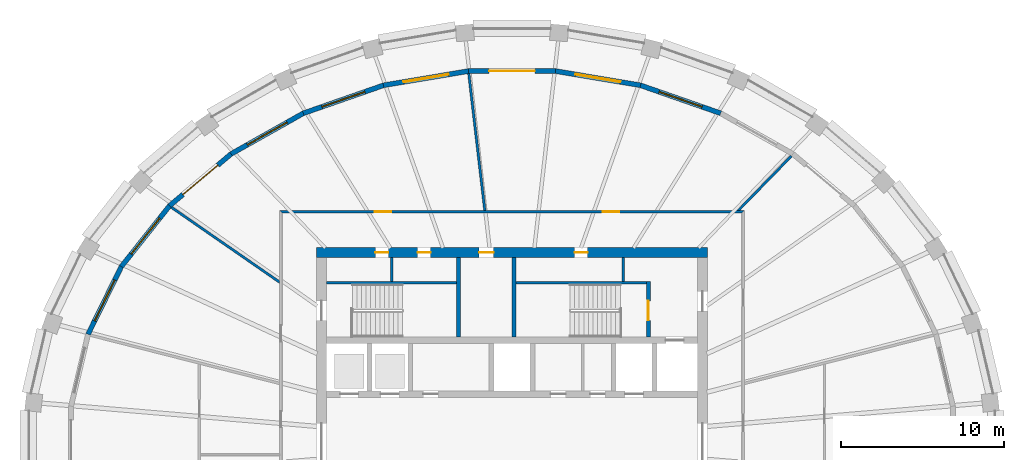
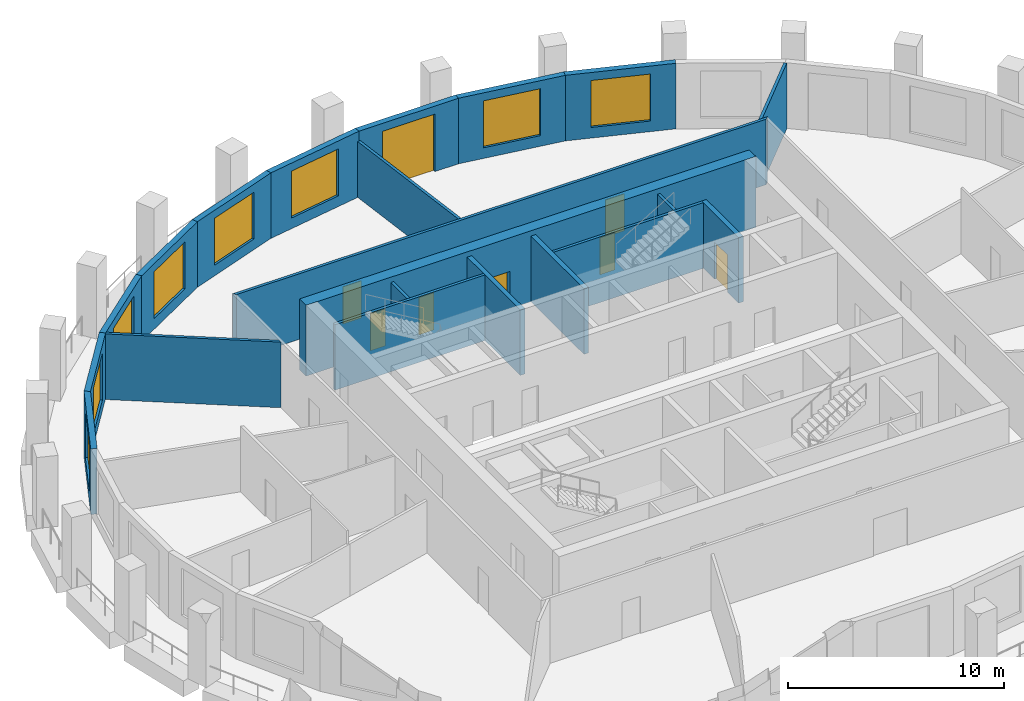
# One storey, part 6 of 10: 21 walls, 9 doors, 7 windows, 16 openings.
"""IFC4 building model written with IfcOpenShell, lengths in metres."""

from ifc_helpers import new_model, si_unit, direction, frame, frame_2d, origin, place, context, subcontext, project, spatial, polyline, rectangle, outline, extrude, material, layer, layer_set, type_object, element, fill, save


model = new_model("IFC4")

# Units and contexts
model_context = context("Model", 3, precision=1e-05, world=origin(), true_north=direction((0.0, 1.0)))
body_context = subcontext(model_context, "Body", "Model", "MODEL_VIEW")
ifc_project = project(units=[si_unit("LENGTHUNIT", "METRE"), si_unit("AREAUNIT", "SQUARE_METRE"), si_unit("VOLUMEUNIT", "CUBIC_METRE"), si_unit("PLANEANGLEUNIT", "RADIAN"), si_unit("MASSUNIT", "GRAM", prefix="KILO")], contexts=[model_context])

# Site, building, storey
site_placement = place(None, origin())
site = spatial("IfcSite", under=ifc_project, at=site_placement, CompositionType="ELEMENT")
building_placement = place(site_placement, origin())
building = spatial("IfcBuilding", under=site, at=building_placement, Name="Halqa Exchange Tower", CompositionType="ELEMENT")
storey_placement = place(building_placement, frame((0.0, 0.0, 276.300048828125)))
storey = spatial("IfcBuildingStorey", under=building, at=storey_placement, Name="L64", CompositionType="ELEMENT", Elevation=276.300048828125)

# Wall
ifc_material_1 = material(Name="Fire-rated gypsum board")
ifc_layer_1 = layer(ifc_material_1, 0.14990234375)
ifc_layer_set_1 = layer_set([ifc_layer_1], Name="Fire-rated gypsum board")
wall_type_1 = type_object("IfcWallType", Name="Fire partition EI 60 150", PredefinedType="PARTITIONING", material=ifc_layer_set_1)
wall_1_placement = place(storey_placement, frame((-14.232421875, 9.842529296875, 0.0), z_axis=(0.0, 0.0, 1.0), x_axis=(-0.822495571588, 0.56877151363, 0.0)))
element("IfcWall", 1, at=wall_1_placement, inside=storey, type_object=wall_type_1, Name="L64-PWL-010", PredefinedType="PARTITIONING", context=body_context, shape_type="SweptSolid", body=[
    extrude(outline(polyline([(0.103515625, -0.074951171875), (1.705322265625, -0.074951171875), (3.306884765625, -0.074951171875), (4.908447265625, -0.074951171875), (6.510009765625, -0.074951171875), (8.111572265625, -0.074951171875), (8.133056640625, 0.004150390625), (8.137451171875, 0.069580078125), (8.137451171875, 0.074951171875), (6.510009765625, 0.074951171875), (4.882568359375, 0.074951171875), (3.2548828125, 0.074951171875), (1.62744140625, 0.074951171875), (0.0, 0.074951171875), (0.0, 0.074951171875), (0.103515625, -0.074951171875)])), origin(), (0.0, 0.0, 1.0), 3.699951171875),
])

# Wall, openings, doors
wall_2_placement = place(storey_placement, frame((-14.27490234375, 14.199951171875, 0.0), z_axis=(0.0, 0.0, 1.0), x_axis=(1.0, 0.0, 0.0)))
wall_2 = element("IfcWall", 2, at=wall_2_placement, inside=storey, type_object=wall_type_1, Name="L64-PWL-011", PredefinedType="PARTITIONING", context=body_context, shape_type="SweptSolid", body=[
    extrude(outline(polyline([(0.14990234375, -0.074951171875), (2.033203125, -0.074951171875), (3.91650390625, -0.074951171875), (5.7998046875, -0.074951171875), (7.683349609375, -0.074951171875), (9.566650390625, -0.074951171875), (11.449951171875, -0.074951171875), (13.333251953125, -0.074951171875), (15.216552734375, -0.074951171875), (17.099853515625, -0.074951171875), (18.983154296875, -0.074951171875), (20.866455078125, -0.074951171875), (22.75, -0.074951171875), (24.63330078125, -0.074951171875), (26.5166015625, -0.074951171875), (28.39990234375, -0.074951171875), (28.5498046875, 0.074951171875), (28.5498046875, 0.074951171875), (26.646484375, 0.074951171875), (24.7431640625, 0.074951171875), (22.83984375, 0.074951171875), (20.9365234375, 0.074951171875), (19.033203125, 0.074951171875), (17.1298828125, 0.074951171875), (15.2265625, 0.074951171875), (13.3232421875, 0.074951171875), (11.419921875, 0.074951171875), (9.5166015625, 0.074951171875), (7.61328125, 0.074951171875), (5.7099609375, 0.074951171875), (3.806640625, 0.074951171875), (1.9033203125, 0.074951171875), (0.0, 0.074951171875), (0.14990234375, -0.074951171875)])), origin(), (0.0, 0.0, 1.0), 3.699951171875),
])
opening_1_placement = place(wall_2_placement, frame((5.844970703125, 0.0, 0.0)))
opening_1 = element("IfcOpeningElement", 3, at=opening_1_placement, cuts=wall_2, Name="Opening 19-01", PredefinedType="OPENING", context=body_context, shape_type="SweptSolid", body=[
    extrude(rectangle(XDim=1.0, YDim=2.10009765625, at=frame_2d((0.5, 1.050048828125))), frame((0.0, 0.0869140625, 0.0), z_axis=(0.0, -1.0, 0.0), x_axis=(1.0, 0.0, 0.0)), (0.0, 0.0, 1.0), 0.173828125),
])
opening_2_placement = place(wall_2_placement, frame((19.860107421875, 0.0, 0.0)))
opening_2 = element("IfcOpeningElement", 4, at=opening_2_placement, cuts=wall_2, Name="Opening 19-12", PredefinedType="OPENING", context=body_context, shape_type="SweptSolid", body=[
    extrude(rectangle(XDim=1.0, YDim=2.10009765625, at=frame_2d((0.5, 1.050048828125))), frame((0.0, 0.0869140625, 0.0), z_axis=(0.0, -1.0, 0.0), x_axis=(1.0, 0.0, 0.0)), (0.0, 0.0, 1.0), 0.173828125),
])
ifc_material_2 = material(Name="Steel fire door leaf", Category="steel")
door_type_1 = type_object("IfcDoorType", Name="Fire door FD30S 1000 x 2100", OperationType="SINGLE_SWING_LEFT", PredefinedType="DOOR", material=ifc_material_2)
door_1_placement = place(opening_1_placement, origin())
door_1 = element("IfcDoor", 5, at=door_1_placement, inside=storey, type_object=door_type_1, Name="L64-IDR-001", OperationType="SINGLE_SWING_RIGHT", OverallHeight=2.10009765625, OverallWidth=1.0, PredefinedType="DOOR", context=body_context, shape_type="SweptSolid", body=[
    extrude(rectangle(XDim=1.0, YDim=2.10009765625, at=frame_2d((0.5, 1.050048828125))), frame((0.0, 0.02490234375, 0.0), z_axis=(0.0, -1.0, 0.0), x_axis=(1.0, 0.0, 0.0)), (0.0, 0.0, 1.0), 0.050048828125),
])
fill(opening_1, door_1)
door_2_placement = place(opening_2_placement, origin())
door_2 = element("IfcDoor", 6, at=door_2_placement, inside=storey, type_object=door_type_1, Name="L64-IDR-012", OperationType="SINGLE_SWING_LEFT", OverallHeight=2.10009765625, OverallWidth=1.0, PredefinedType="DOOR", context=body_context, shape_type="SweptSolid", body=[
    extrude(rectangle(XDim=1.0, YDim=2.10009765625, at=frame_2d((0.5, 1.050048828125))), frame((0.0, 0.02490234375, 0.0), z_axis=(0.0, -1.0, 0.0), x_axis=(1.0, 0.0, 0.0)), (0.0, 0.0, 1.0), 0.050048828125),
])
fill(opening_2, door_2)

# Walls
wall_3_placement = place(storey_placement, frame((-2.654541015625, 22.6875, 0.0), z_axis=(0.0, 0.0, 1.0), x_axis=(0.116390143686, -0.993203571506, 0.0)))
element("IfcWall", 7, at=wall_3_placement, inside=storey, type_object=wall_type_1, Name="L64-PWL-014", PredefinedType="PARTITIONING", context=body_context, shape_type="SweptSolid", body=[
    extrude(outline(polyline([(0.0, -0.074951171875), (1.692138671875, -0.074951171875), (3.384521484375, -0.074951171875), (5.07666015625, -0.074951171875), (6.76904296875, -0.074951171875), (8.461181640625, -0.074951171875), (8.478515625, 0.072021484375), (8.478515625, 0.074951171875), (6.78369140625, 0.074951171875), (5.0888671875, 0.074951171875), (3.39404296875, 0.074951171875), (1.699462890625, 0.074951171875), (0.004638671875, 0.074951171875), (0.0, 0.0361328125), (0.0, -0.074951171875)])), origin(), (0.0, 0.0, 1.0), 3.14990234375),
])
wall_4_placement = place(storey_placement, frame((13.852294921875, 14.222900390625, 0.0), z_axis=(0.0, 0.0, 1.0), x_axis=(0.69820654799, 0.715896372629, 0.0)))
element("IfcWall", 8, at=wall_4_placement, inside=storey, type_object=wall_type_1, Name="L64-PWL-016", PredefinedType="PARTITIONING", context=body_context, shape_type="SweptSolid", body=[
    extrude(outline(polyline([(4.73388671875, -0.074951171875), (4.73388671875, 0.07470703125), (4.73388671875, 0.074951171875), (3.156005859375, 0.074951171875), (1.577880859375, 0.074951171875), (0.0, 0.074951171875), (0.0, 0.07470703125), (0.14599609375, -0.074951171875), (1.67529296875, -0.074951171875), (3.20458984375, -0.074951171875), (4.73388671875, -0.074951171875)])), origin(), (0.0, 0.0, 1.0), 3.699951171875),
])
ifc_material_3 = material(Name="Gypsum board")
ifc_layer_2 = layer(ifc_material_3, 0.14990234375)
ifc_layer_set_2 = layer_set([ifc_layer_2], Name="Gypsum board")
wall_type_2 = type_object("IfcWallType", Name="Penthouse riser wall 150 gypsum", PredefinedType="PARTITIONING", material=ifc_layer_set_2)
for number, where, z_axis, x_axis, name in (
    (9, (-7.39990234375, 9.89990234375, 0.0), (0.0, 0.0, 1.0), (0.0, 1.0, 0.0), "Partition W7.400 N"),
    (10, (6.824951171875, 9.89990234375, 0.0), (0.0, 0.0, 1.0), (0.0, 1.0, 0.0), "Firefighting lobby west wall N"),
):
    element("IfcWall", number, at=place(storey_placement, frame(where, z_axis=z_axis, x_axis=x_axis)), inside=storey, type_object=wall_type_2, Name=name, PredefinedType="PARTITIONING", context=body_context, shape_type="SweptSolid", body=[
        extrude(rectangle(XDim=1.5, YDim=0.14990234375, at=frame_2d((0.75, 0.0))), origin(), (0.0, 0.0, 1.0), 3.699951171875),
    ])

# Wall, openings, doors
ifc_material_4 = material(Name="Concrete C60/75", Category="concrete")
ifc_layer_3 = layer(ifc_material_4, 0.60009765625)
ifc_layer_set_3 = layer_set([ifc_layer_3], Name="Concrete C60/75")
wall_type_3 = type_object("IfcWallType", Name="RC core wall 600 C60/75", PredefinedType="SHEAR", material=ifc_layer_set_3)
wall_5_placement = place(storey_placement, frame((-12.0, 11.699951171875, 0.0), z_axis=(0.0, 0.0, 1.0), x_axis=(1.0, 0.0, 0.0)))
wall_5 = element("IfcWall", 11, at=wall_5_placement, inside=storey, type_object=wall_type_3, Name="Core wall north", PredefinedType="SHEAR", context=body_context, shape_type="SweptSolid", body=[
    extrude(rectangle(XDim=24.0, YDim=0.60009765625, at=frame_2d((12.0, 0.0))), origin(), (0.0, 0.0, 1.0), 4.0),
])
opening_3_placement = place(wall_5_placement, frame((9.97509765625, 0.0, 0.0)))
opening_3 = element("IfcOpeningElement", 12, at=opening_3_placement, cuts=wall_5, Name="Opening T19-C17", PredefinedType="OPENING", context=body_context, shape_type="SweptSolid", body=[
    extrude(rectangle(XDim=0.89990234375, YDim=2.10009765625, at=frame_2d((0.449951171875, 1.050048828125))), frame((0.0, 0.31201171875, 0.0), z_axis=(0.0, -1.0, 0.0), x_axis=(1.0, 0.0, 0.0)), (0.0, 0.0, 1.0), 0.6240234375),
])
opening_4_placement = place(wall_5_placement, frame((3.60009765625, 0.0, 0.0)))
opening_4 = element("IfcOpeningElement", 13, at=opening_4_placement, cuts=wall_5, Name="Opening T19-C18", PredefinedType="OPENING", context=body_context, shape_type="SweptSolid", body=[
    extrude(rectangle(XDim=0.800048828125, YDim=2.10009765625, at=frame_2d((0.39990234375, 1.050048828125))), frame((0.0, 0.31201171875, 0.0), z_axis=(0.0, -1.0, 0.0), x_axis=(1.0, 0.0, 0.0)), (0.0, 0.0, 1.0), 0.6240234375),
])
opening_5_placement = place(wall_5_placement, frame((6.199951171875, 0.0, 0.0)))
opening_5 = element("IfcOpeningElement", 14, at=opening_5_placement, cuts=wall_5, Name="Opening T19-C19", PredefinedType="OPENING", context=body_context, shape_type="SweptSolid", body=[
    extrude(rectangle(XDim=0.800048828125, YDim=2.10009765625, at=frame_2d((0.39990234375, 1.050048828125))), frame((0.0, 0.31201171875, 0.0), z_axis=(0.0, -1.0, 0.0), x_axis=(1.0, 0.0, 0.0)), (0.0, 0.0, 1.0), 0.6240234375),
])
opening_6_placement = place(wall_5_placement, frame((15.85009765625, 0.0, 0.0)))
opening_6 = element("IfcOpeningElement", 15, at=opening_6_placement, cuts=wall_5, Name="Opening T19-C20", PredefinedType="OPENING", context=body_context, shape_type="SweptSolid", body=[
    extrude(rectangle(XDim=0.800048828125, YDim=2.10009765625, at=frame_2d((0.39990234375, 1.050048828125))), frame((0.0, 0.31201171875, 0.0), z_axis=(0.0, -1.0, 0.0), x_axis=(1.0, 0.0, 0.0)), (0.0, 0.0, 1.0), 0.6240234375),
])
ifc_material_5 = material(Name="Timber fire door leaf", Category="wood")
door_type_2 = type_object("IfcDoorType", Name="Core room door FD30 900 x 2100", OperationType="SINGLE_SWING_LEFT", PredefinedType="DOOR", material=ifc_material_5)
door_3_placement = place(opening_3_placement, frame((0.89990234375, 0.0, 0.0), z_axis=(0.0, 0.0, 1.0), x_axis=(-1.0, 0.0, 0.0)))
door_3 = element("IfcDoor", 16, at=door_3_placement, inside=storey, type_object=door_type_2, Name="Core room door", OperationType="SINGLE_SWING_LEFT", OverallHeight=2.10009765625, OverallWidth=0.89990234375, PredefinedType="DOOR", context=body_context, shape_type="SweptSolid", body=[
    extrude(rectangle(XDim=0.89990234375, YDim=2.10009765625, at=frame_2d((0.449951171875, 1.050048828125))), frame((0.0, 0.02490234375, 0.0), z_axis=(0.0, -1.0, 0.0), x_axis=(1.0, 0.0, 0.0)), (0.0, 0.0, 1.0), 0.050048828125),
])
fill(opening_3, door_3)
door_type_3 = type_object("IfcDoorType", Name="Riser door FD60 800 x 2100", OperationType="SINGLE_SWING_LEFT", PredefinedType="DOOR", material=ifc_material_2)
door_4_placement = place(opening_4_placement, frame((0.800048828125, 0.0, 0.0), z_axis=(0.0, 0.0, 1.0), x_axis=(-1.0, 0.0, 0.0)))
door_4 = element("IfcDoor", 17, at=door_4_placement, inside=storey, type_object=door_type_3, Name="Core room door", OperationType="SINGLE_SWING_RIGHT", OverallHeight=2.10009765625, OverallWidth=0.800048828125, PredefinedType="DOOR", context=body_context, shape_type="SweptSolid", body=[
    extrude(rectangle(XDim=0.800048828125, YDim=2.10009765625, at=frame_2d((0.39990234375, 1.050048828125))), frame((0.0, 0.02490234375, 0.0), z_axis=(0.0, -1.0, 0.0), x_axis=(1.0, 0.0, 0.0)), (0.0, 0.0, 1.0), 0.050048828125),
])
fill(opening_4, door_4)
door_5_placement = place(opening_5_placement, frame((0.800048828125, 0.0, 0.0), z_axis=(0.0, 0.0, 1.0), x_axis=(-1.0, 0.0, 0.0)))
door_5 = element("IfcDoor", 18, at=door_5_placement, inside=storey, type_object=door_type_3, Name="Core room door", OperationType="SINGLE_SWING_RIGHT", OverallHeight=2.10009765625, OverallWidth=0.800048828125, PredefinedType="DOOR", context=body_context, shape_type="SweptSolid", body=[
    extrude(rectangle(XDim=0.800048828125, YDim=2.10009765625, at=frame_2d((0.39990234375, 1.050048828125))), frame((0.0, 0.02490234375, 0.0), z_axis=(0.0, -1.0, 0.0), x_axis=(1.0, 0.0, 0.0)), (0.0, 0.0, 1.0), 0.050048828125),
])
fill(opening_5, door_5)
door_6_placement = place(opening_6_placement, frame((0.800048828125, 0.0, 0.0), z_axis=(0.0, 0.0, 1.0), x_axis=(-1.0, 0.0, 0.0)))
door_6 = element("IfcDoor", 19, at=door_6_placement, inside=storey, type_object=door_type_3, Name="Core room door", OperationType="SINGLE_SWING_RIGHT", OverallHeight=2.10009765625, OverallWidth=0.800048828125, PredefinedType="DOOR", context=body_context, shape_type="SweptSolid", body=[
    extrude(rectangle(XDim=0.800048828125, YDim=2.10009765625, at=frame_2d((0.39990234375, 1.050048828125))), frame((0.0, 0.02490234375, 0.0), z_axis=(0.0, -1.0, 0.0), x_axis=(1.0, 0.0, 0.0)), (0.0, 0.0, 1.0), 0.050048828125),
])
fill(opening_6, door_6)

# Walls
ifc_material_6 = material(Name="Concrete C30/37", Category="concrete")
ifc_layer_4 = layer(ifc_material_6, 0.14990234375)
ifc_layer_set_4 = layer_set([ifc_layer_4], Name="Concrete C30/37")
wall_type_4 = type_object("IfcWallType", Name="RC stair wall 150 C30/37", PredefinedType="SHEAR", material=ifc_layer_set_4)
for number, where, z_axis, x_axis, name in (
    (20, (-11.39990234375, 9.824951171875, 0.0), (0.0, 0.0, 1.0), (1.0, 0.0, 0.0), "Stair ST1 north wall N"),
    (21, (0.25, 9.824951171875, 0.0), (0.0, 0.0, 1.0), (1.0, 0.0, 0.0), "Stair ST2 north wall N"),
):
    element("IfcWall", number, at=place(storey_placement, frame(where, z_axis=z_axis, x_axis=x_axis)), inside=storey, type_object=wall_type_4, Name=name, PredefinedType="SHEAR", context=body_context, shape_type="SweptSolid", body=[
        extrude(rectangle(XDim=8.0, YDim=0.14990234375, at=frame_2d((4.0, 0.0))), origin(), (0.0, 0.0, 1.0), 3.699951171875),
    ])
ifc_layer_5 = layer(ifc_material_6, 0.25)
ifc_layer_set_5 = layer_set([ifc_layer_5], Name="Concrete C30/37")
wall_type_5 = type_object("IfcWallType", Name="RC stair wall 250 C30/37", PredefinedType="SHEAR", material=ifc_layer_set_5)
for number, where, z_axis, x_axis, name in (
    (22, (-3.27490234375, 6.5, 0.0), (0.0, 0.0, 1.0), (0.0, 1.0, 0.0), "Stair ST1 east wall N"),
    (23, (0.125, 6.5, 0.0), (0.0, 0.0, 1.0), (0.0, 1.0, 0.0), "Stair ST2 west wall N"),
):
    element("IfcWall", number, at=place(storey_placement, frame(where, z_axis=z_axis, x_axis=x_axis)), inside=storey, type_object=wall_type_5, Name=name, PredefinedType="SHEAR", context=body_context, shape_type="SweptSolid", body=[
        extrude(rectangle(XDim=4.89990234375, YDim=0.25, at=frame_2d((2.449951171875, 0.0))), origin(), (0.0, 0.0, 1.0), 3.699951171875),
    ])

# Wall, opening, door
wall_6_placement = place(storey_placement, frame((8.375, 6.5, 0.0), z_axis=(0.0, 0.0, 1.0), x_axis=(0.0, 1.0, 0.0)))
wall_6 = element("IfcWall", 24, at=wall_6_placement, inside=storey, type_object=wall_type_5, Name="Stair ST2 east wall N", PredefinedType="SHEAR", context=body_context, shape_type="SweptSolid", body=[
    extrude(rectangle(XDim=3.39990234375, YDim=0.25, at=frame_2d((1.699951171875, 0.0))), origin(), (0.0, 0.0, 1.0), 3.699951171875),
])
opening_7_placement = place(wall_6_placement, frame((1.02490234375, 0.0, 0.0)))
opening_7 = element("IfcOpeningElement", 25, at=opening_7_placement, cuts=wall_6, Name="Opening T19-C12", PredefinedType="OPENING", context=body_context, shape_type="SweptSolid", body=[
    extrude(rectangle(XDim=1.199951171875, YDim=2.10009765625, at=frame_2d((0.60009765625, 1.050048828125))), frame((0.0, 0.136962890625, 0.0), z_axis=(0.0, -1.0, 0.0), x_axis=(1.0, 0.0, 0.0)), (0.0, 0.0, 1.0), 0.27392578125),
])
door_type_4 = type_object("IfcDoorType", Name="Stair door FD90 1200 x 2100", OperationType="SINGLE_SWING_LEFT", PredefinedType="DOOR", material=ifc_material_2)
door_7_placement = place(opening_7_placement, origin())
door_7 = element("IfcDoor", 26, at=door_7_placement, inside=storey, type_object=door_type_4, Name="Stair door ST2", OperationType="SINGLE_SWING_LEFT", OverallHeight=2.10009765625, OverallWidth=1.199951171875, PredefinedType="DOOR", context=body_context, shape_type="SweptSolid", body=[
    extrude(rectangle(XDim=1.199951171875, YDim=2.10009765625, at=frame_2d((0.60009765625, 1.050048828125))), frame((0.0, 0.02490234375, 0.0), z_axis=(0.0, -1.0, 0.0), x_axis=(1.0, 0.0, 0.0)), (0.0, 0.0, 1.0), 0.050048828125),
])
fill(opening_7, door_7)

# Wall, opening, window
ifc_material_7 = material(Name="Limestone cladding", Category="masonry")
ifc_layer_6 = layer(ifc_material_7, 0.0400390625)
ifc_material_8 = material(Name="Ventilated cavity")
ifc_layer_7 = layer(ifc_material_8, 0.030029296875, ventilated=True)
ifc_material_9 = material(Name="Mineral wool insulation")
ifc_layer_8 = layer(ifc_material_9, 0.10009765625)
ifc_layer_9 = layer(ifc_material_6, 0.10009765625)
ifc_material_10 = material(Name="Internal plaster")
ifc_layer_10 = layer(ifc_material_10, 0.030029296875)
ifc_layer_set_6 = layer_set([ifc_layer_6, ifc_layer_7, ifc_layer_8, ifc_layer_9, ifc_layer_10], Name="Stone-faced insulated wall 300")
wall_type_6 = type_object("IfcWallType", Name="Stone-faced insulated wall 300", PredefinedType="STANDARD", material=ifc_layer_set_6)
wall_7_placement = place(storey_placement, frame((12.822021484375, 20.246337890625, 0.0), z_axis=(0.0, 0.0, 1.0), x_axis=(-0.9441693858, 0.329460423904, 0.0)))
wall_7 = element("IfcWall", 27, at=wall_7_placement, inside=storey, type_object=wall_type_6, Name="Glass-line wall 6", PredefinedType="STANDARD", context=body_context, shape_type="SweptSolid", body=[
    extrude(outline(polyline([(-0.013427734375, -0.14990234375), (5.23095703125, -0.14990234375), (5.20556640625, 0.14990234375), (0.013427734375, 0.14990234375), (-0.013427734375, -0.14990234375)])), origin(), (0.0, 0.0, 1.0), 3.699951171875),
])
opening_8_placement = place(wall_7_placement, frame((1.209228515625, 0.0, 0.60009765625)))
opening_8 = element("IfcOpeningElement", 28, at=opening_8_placement, cuts=wall_7, Name="Opening W-F4-06", PredefinedType="OPENING", context=body_context, shape_type="SweptSolid", body=[
    extrude(rectangle(XDim=2.800048828125, YDim=2.64990234375, at=frame_2d((1.39990234375, 1.324951171875))), frame((0.0, 0.162109375, 0.0), z_axis=(0.0, -1.0, 0.0), x_axis=(1.0, 0.0, 0.0)), (0.0, 0.0, 1.0), 0.323974609375),
])
ifc_material_11 = material(Name="Clear low-emissivity glass in aluminium frame", Category="aluminium")
window_type = type_object("IfcWindowType", Name="Fixed clear glazed window 2800 x 2650", PartitioningType="DOUBLE_PANEL_VERTICAL", PredefinedType="WINDOW", material=ifc_material_11)
window_1_placement = place(opening_8_placement, origin())
window_1 = element("IfcWindow", 29, at=window_1_placement, inside=storey, type_object=window_type, Name="Window 4", OverallHeight=2.64990234375, OverallWidth=2.800048828125, PartitioningType="DOUBLE_PANEL_VERTICAL", PredefinedType="WINDOW", context=body_context, shape_type="SweptSolid", body=[
    extrude(rectangle(XDim=2.800048828125, YDim=2.64990234375, at=frame_2d((1.39990234375, 1.324951171875))), frame((0.0, 0.030029296875, 0.0), z_axis=(0.0, -1.0, 0.0), x_axis=(1.0, 0.0, 0.0)), (0.0, 0.0, 1.0), 0.06005859375),
])
fill(opening_8, window_1)

wall_8_placement = place(storey_placement, frame((7.89501953125, 21.965576171875, 0.0), z_axis=(0.0, 0.0, 1.0), x_axis=(-0.986250435411, 0.165257612993, 0.0)))
wall_8 = element("IfcWall", 30, at=wall_8_placement, inside=storey, type_object=wall_type_6, Name="Glass-line wall 7", PredefinedType="STANDARD", context=body_context, shape_type="SweptSolid", body=[
    extrude(outline(polyline([(-0.0126953125, -0.14990234375), (5.314697265625, -0.14990234375), (5.289794921875, 0.14990234375), (0.0126953125, 0.14990234375), (-0.0126953125, -0.14990234375)])), origin(), (0.0, 0.0, 1.0), 3.699951171875),
])
opening_9_placement = place(wall_8_placement, frame((1.2509765625, 0.0, 0.60009765625)))
opening_9 = element("IfcOpeningElement", 31, at=opening_9_placement, cuts=wall_8, Name="Opening W-F4-07", PredefinedType="OPENING", context=body_context, shape_type="SweptSolid", body=[
    extrude(rectangle(XDim=2.800048828125, YDim=2.64990234375, at=frame_2d((1.39990234375, 1.324951171875))), frame((0.0, 0.162109375, 0.0), z_axis=(0.0, -1.0, 0.0), x_axis=(1.0, 0.0, 0.0)), (0.0, 0.0, 1.0), 0.323974609375),
])
window_2_placement = place(opening_9_placement, origin())
window_2 = element("IfcWindow", 32, at=window_2_placement, inside=storey, type_object=window_type, Name="Window 4", OverallHeight=2.64990234375, OverallWidth=2.800048828125, PartitioningType="DOUBLE_PANEL_VERTICAL", PredefinedType="WINDOW", context=body_context, shape_type="SweptSolid", body=[
    extrude(rectangle(XDim=2.800048828125, YDim=2.64990234375, at=frame_2d((1.39990234375, 1.324951171875))), frame((0.0, 0.030029296875, 0.0), z_axis=(0.0, -1.0, 0.0), x_axis=(1.0, 0.0, 0.0)), (0.0, 0.0, 1.0), 0.06005859375),
])
fill(opening_9, window_2)

# Wall, opening, door
wall_9_placement = place(storey_placement, frame((2.665771484375, 22.841796875, 0.0), z_axis=(0.0, 0.0, 1.0), x_axis=(-1.0, 0.0, 0.0)))
wall_9 = element("IfcWall", 33, at=wall_9_placement, inside=storey, type_object=wall_type_6, Name="Glass-line wall 8", PredefinedType="STANDARD", context=body_context, shape_type="SweptSolid", body=[
    extrude(outline(polyline([(-0.012451171875, -0.14990234375), (5.343994140625, -0.14990234375), (5.319091796875, 0.14990234375), (0.012451171875, 0.14990234375), (-0.012451171875, -0.14990234375)])), origin(), (0.0, 0.0, 1.0), 3.699951171875),
])
opening_10_placement = place(wall_9_placement, frame((1.265625, 0.0, 0.0)))
opening_10 = element("IfcOpeningElement", 34, at=opening_10_placement, cuts=wall_9, Name="Opening LG-F4-02", PredefinedType="OPENING", context=body_context, shape_type="SweptSolid", body=[
    extrude(rectangle(XDim=2.800048828125, YDim=3.25, at=frame_2d((1.39990234375, 1.625))), frame((0.0, 0.162109375, 0.0), z_axis=(0.0, -1.0, 0.0), x_axis=(1.0, 0.0, 0.0)), (0.0, 0.0, 1.0), 0.323974609375),
])
door_type_5 = type_object("IfcDoorType", Name="Glazed sliding loggia door 2800 x 3250", OperationType="DOUBLE_DOOR_SLIDING", PredefinedType="DOOR", material=ifc_material_11)
door_8_placement = place(opening_10_placement, origin())
door_8 = element("IfcDoor", 35, at=door_8_placement, inside=storey, type_object=door_type_5, Name="Loggia door 2", OperationType="DOUBLE_DOOR_SLIDING", OverallHeight=3.25, OverallWidth=2.800048828125, PredefinedType="DOOR", context=body_context, shape_type="SweptSolid", body=[
    extrude(rectangle(XDim=2.800048828125, YDim=3.25, at=frame_2d((1.39990234375, 1.625))), frame((0.0, 0.02490234375, 0.0), z_axis=(0.0, -1.0, 0.0), x_axis=(1.0, 0.0, 0.0)), (0.0, 0.0, 1.0), 0.050048828125),
])
fill(opening_10, door_8)

# Wall, opening, window
wall_10_placement = place(storey_placement, frame((-2.665771484375, 22.841796875, 0.0), z_axis=(0.0, 0.0, 1.0), x_axis=(-0.986250435411, -0.165257612993, 0.0)))
wall_10 = element("IfcWall", 36, at=wall_10_placement, inside=storey, type_object=wall_type_6, Name="Glass-line wall 9", PredefinedType="STANDARD", context=body_context, shape_type="SweptSolid", body=[
    extrude(outline(polyline([(-0.012451171875, -0.14990234375), (5.31494140625, -0.14990234375), (5.28955078125, 0.14990234375), (0.012451171875, 0.14990234375), (-0.012451171875, -0.14990234375)])), origin(), (0.0, 0.0, 1.0), 3.699951171875),
])
opening_11_placement = place(wall_10_placement, frame((1.2509765625, 0.0, 0.60009765625)))
opening_11 = element("IfcOpeningElement", 37, at=opening_11_placement, cuts=wall_10, Name="Opening W-F4-09", PredefinedType="OPENING", context=body_context, shape_type="SweptSolid", body=[
    extrude(rectangle(XDim=2.800048828125, YDim=2.64990234375, at=frame_2d((1.39990234375, 1.324951171875))), frame((0.0, 0.162109375, 0.0), z_axis=(0.0, -1.0, 0.0), x_axis=(1.0, 0.0, 0.0)), (0.0, 0.0, 1.0), 0.323974609375),
])
window_3_placement = place(opening_11_placement, origin())
window_3 = element("IfcWindow", 38, at=window_3_placement, inside=storey, type_object=window_type, Name="Window 4", OverallHeight=2.64990234375, OverallWidth=2.800048828125, PartitioningType="DOUBLE_PANEL_VERTICAL", PredefinedType="WINDOW", context=body_context, shape_type="SweptSolid", body=[
    extrude(rectangle(XDim=2.800048828125, YDim=2.64990234375, at=frame_2d((1.39990234375, 1.324951171875))), frame((0.0, 0.030029296875, 0.0), z_axis=(0.0, -1.0, 0.0), x_axis=(1.0, 0.0, 0.0)), (0.0, 0.0, 1.0), 0.06005859375),
])
fill(opening_11, window_3)

wall_11_placement = place(storey_placement, frame((-7.89501953125, 21.965576171875, 0.0), z_axis=(0.0, 0.0, 1.0), x_axis=(-0.9441693858, -0.329460423904, 0.0)))
wall_11 = element("IfcWall", 39, at=wall_11_placement, inside=storey, type_object=wall_type_6, Name="Glass-line wall 10", PredefinedType="STANDARD", context=body_context, shape_type="SweptSolid", body=[
    extrude(outline(polyline([(-0.0126953125, -0.14990234375), (5.231689453125, -0.14990234375), (5.204833984375, 0.14990234375), (0.0126953125, 0.14990234375), (-0.0126953125, -0.14990234375)])), origin(), (0.0, 0.0, 1.0), 3.699951171875),
])
opening_12_placement = place(wall_11_placement, frame((1.209228515625, 0.0, 0.60009765625)))
opening_12 = element("IfcOpeningElement", 40, at=opening_12_placement, cuts=wall_11, Name="Opening W-F4-10", PredefinedType="OPENING", context=body_context, shape_type="SweptSolid", body=[
    extrude(rectangle(XDim=2.800048828125, YDim=2.64990234375, at=frame_2d((1.39990234375, 1.324951171875))), frame((0.0, 0.162109375, 0.0), z_axis=(0.0, -1.0, 0.0), x_axis=(1.0, 0.0, 0.0)), (0.0, 0.0, 1.0), 0.323974609375),
])
window_4_placement = place(opening_12_placement, origin())
window_4 = element("IfcWindow", 41, at=window_4_placement, inside=storey, type_object=window_type, Name="Window 4", OverallHeight=2.64990234375, OverallWidth=2.800048828125, PartitioningType="DOUBLE_PANEL_VERTICAL", PredefinedType="WINDOW", context=body_context, shape_type="SweptSolid", body=[
    extrude(rectangle(XDim=2.800048828125, YDim=2.64990234375, at=frame_2d((1.39990234375, 1.324951171875))), frame((0.0, 0.030029296875, 0.0), z_axis=(0.0, -1.0, 0.0), x_axis=(1.0, 0.0, 0.0)), (0.0, 0.0, 1.0), 0.06005859375),
])
fill(opening_12, window_4)

wall_12_placement = place(storey_placement, frame((-12.822021484375, 20.246337890625, 0.0), z_axis=(0.0, 0.0, 1.0), x_axis=(-0.871433320402, -0.490513983585, 0.0)))
wall_12 = element("IfcWall", 42, at=wall_12_placement, inside=storey, type_object=wall_type_6, Name="Glass-line wall 11", PredefinedType="STANDARD", context=body_context, shape_type="SweptSolid", body=[
    extrude(outline(polyline([(-0.013427734375, -0.14990234375), (5.1044921875, -0.14990234375), (5.076171875, 0.14990234375), (0.013427734375, 0.14990234375), (-0.013427734375, -0.14990234375)])), origin(), (0.0, 0.0, 1.0), 3.699951171875),
])
opening_13_placement = place(wall_12_placement, frame((1.14501953125, 0.0, 0.60009765625)))
opening_13 = element("IfcOpeningElement", 43, at=opening_13_placement, cuts=wall_12, Name="Opening W-F4-11", PredefinedType="OPENING", context=body_context, shape_type="SweptSolid", body=[
    extrude(rectangle(XDim=2.800048828125, YDim=2.64990234375, at=frame_2d((1.39990234375, 1.324951171875))), frame((0.0, 0.162109375, 0.0), z_axis=(0.0, -1.0, 0.0), x_axis=(1.0, 0.0, 0.0)), (0.0, 0.0, 1.0), 0.323974609375),
])
window_5_placement = place(opening_13_placement, origin())
window_5 = element("IfcWindow", 44, at=window_5_placement, inside=storey, type_object=window_type, Name="Window 4", OverallHeight=2.64990234375, OverallWidth=2.800048828125, PartitioningType="DOUBLE_PANEL_VERTICAL", PredefinedType="WINDOW", context=body_context, shape_type="SweptSolid", body=[
    extrude(rectangle(XDim=2.800048828125, YDim=2.64990234375, at=frame_2d((1.39990234375, 1.324951171875))), frame((0.0, 0.030029296875, 0.0), z_axis=(0.0, -1.0, 0.0), x_axis=(1.0, 0.0, 0.0)), (0.0, 0.0, 1.0), 0.06005859375),
])
fill(opening_13, window_5)

# Wall, opening, door
wall_13_placement = place(storey_placement, frame((-17.2578125, 17.74951171875, 0.0), z_axis=(0.0, 0.0, 1.0), x_axis=(-0.764832940795, -0.644228664897, 0.0)))
wall_13 = element("IfcWall", 45, at=wall_13_placement, inside=storey, type_object=wall_type_6, Name="Glass-line wall 12", PredefinedType="STANDARD", context=body_context, shape_type="SweptSolid", body=[
    extrude(outline(polyline([(-0.01416015625, -0.14990234375), (4.950439453125, -0.14990234375), (4.920166015625, 0.14990234375), (0.01416015625, 0.14990234375), (-0.01416015625, -0.14990234375)])), origin(), (0.0, 0.0, 1.0), 3.699951171875),
])
opening_14_placement = place(wall_13_placement, frame((1.067626953125, 0.0, 0.0)))
opening_14 = element("IfcOpeningElement", 46, at=opening_14_placement, cuts=wall_13, Name="Opening LG-F4-03", PredefinedType="OPENING", context=body_context, shape_type="SweptSolid", body=[
    extrude(rectangle(XDim=2.800048828125, YDim=3.25, at=frame_2d((1.39990234375, 1.625))), frame((0.0, 0.162109375, 0.0), z_axis=(0.0, -1.0, 0.0), x_axis=(1.0, 0.0, 0.0)), (0.0, 0.0, 1.0), 0.323974609375),
])
door_9_placement = place(opening_14_placement, origin())
door_9 = element("IfcDoor", 47, at=door_9_placement, inside=storey, type_object=door_type_5, Name="Loggia door 3", OperationType="DOUBLE_DOOR_SLIDING", OverallHeight=3.25, OverallWidth=2.800048828125, PredefinedType="DOOR", context=body_context, shape_type="SweptSolid", body=[
    extrude(rectangle(XDim=2.800048828125, YDim=3.25, at=frame_2d((1.39990234375, 1.625))), frame((0.0, 0.02490234375, 0.0), z_axis=(0.0, -1.0, 0.0), x_axis=(1.0, 0.0, 0.0)), (0.0, 0.0, 1.0), 0.050048828125),
])
fill(opening_14, door_9)

# Wall, opening, window
wall_14_placement = place(storey_placement, frame((-21.032470703125, 14.570068359375, 0.0), z_axis=(0.0, 0.0, 1.0), x_axis=(-0.621434755851, -0.783465917715, 0.0)))
wall_14 = element("IfcWall", 48, at=wall_14_placement, inside=storey, type_object=wall_type_6, Name="Glass-line wall 13", PredefinedType="STANDARD", context=body_context, shape_type="SweptSolid", body=[
    extrude(outline(polyline([(-0.01513671875, -0.14990234375), (4.791015625, -0.14990234375), (4.7587890625, 0.14990234375), (0.01513671875, 0.14990234375), (-0.01513671875, -0.14990234375)])), origin(), (0.0, 0.0, 1.0), 3.699951171875),
])
opening_15_placement = place(wall_14_placement, frame((0.9873046875, 0.0, 0.60009765625)))
opening_15 = element("IfcOpeningElement", 49, at=opening_15_placement, cuts=wall_14, Name="Opening W-F4-13", PredefinedType="OPENING", context=body_context, shape_type="SweptSolid", body=[
    extrude(rectangle(XDim=2.800048828125, YDim=2.64990234375, at=frame_2d((1.39990234375, 1.324951171875))), frame((0.0, 0.162109375, 0.0), z_axis=(0.0, -1.0, 0.0), x_axis=(1.0, 0.0, 0.0)), (0.0, 0.0, 1.0), 0.323974609375),
])
window_6_placement = place(opening_15_placement, origin())
window_6 = element("IfcWindow", 50, at=window_6_placement, inside=storey, type_object=window_type, Name="Window 4", OverallHeight=2.64990234375, OverallWidth=2.800048828125, PartitioningType="DOUBLE_PANEL_VERTICAL", PredefinedType="WINDOW", context=body_context, shape_type="SweptSolid", body=[
    extrude(rectangle(XDim=2.800048828125, YDim=2.64990234375, at=frame_2d((1.39990234375, 1.324951171875))), frame((0.0, 0.030029296875, 0.0), z_axis=(0.0, -1.0, 0.0), x_axis=(1.0, 0.0, 0.0)), (0.0, 0.0, 1.0), 0.06005859375),
])
fill(opening_15, window_6)

wall_15_placement = place(storey_placement, frame((-23.999755859375, 10.8291015625, 0.0), z_axis=(0.0, 0.0, 1.0), x_axis=(-0.441261940724, -0.897378348117, 0.0)))
wall_15 = element("IfcWall", 51, at=wall_15_placement, inside=storey, type_object=wall_type_6, Name="Glass-line wall 14", PredefinedType="STANDARD", context=body_context, shape_type="SweptSolid", body=[
    extrude(outline(polyline([(-0.01611328125, -0.14990234375), (4.651611328125, -0.14990234375), (4.617919921875, 0.14990234375), (0.01611328125, 0.14990234375), (-0.01611328125, -0.14990234375)])), origin(), (0.0, 0.0, 1.0), 3.699951171875),
])
opening_16_placement = place(wall_15_placement, frame((0.91748046875, 0.0, 0.60009765625)))
opening_16 = element("IfcOpeningElement", 52, at=opening_16_placement, cuts=wall_15, Name="Opening W-F4-14", PredefinedType="OPENING", context=body_context, shape_type="SweptSolid", body=[
    extrude(rectangle(XDim=2.800048828125, YDim=2.64990234375, at=frame_2d((1.39990234375, 1.324951171875))), frame((0.0, 0.162109375, 0.0), z_axis=(0.0, -1.0, 0.0), x_axis=(1.0, 0.0, 0.0)), (0.0, 0.0, 1.0), 0.323974609375),
])
window_7_placement = place(opening_16_placement, origin())
window_7 = element("IfcWindow", 53, at=window_7_placement, inside=storey, type_object=window_type, Name="Window 4", OverallHeight=2.64990234375, OverallWidth=2.800048828125, PartitioningType="DOUBLE_PANEL_VERTICAL", PredefinedType="WINDOW", context=body_context, shape_type="SweptSolid", body=[
    extrude(rectangle(XDim=2.800048828125, YDim=2.64990234375, at=frame_2d((1.39990234375, 1.324951171875))), frame((0.0, 0.030029296875, 0.0), z_axis=(0.0, -1.0, 0.0), x_axis=(1.0, 0.0, 0.0)), (0.0, 0.0, 1.0), 0.06005859375),
])
fill(opening_16, window_7)

save(model, "model.ifc")
